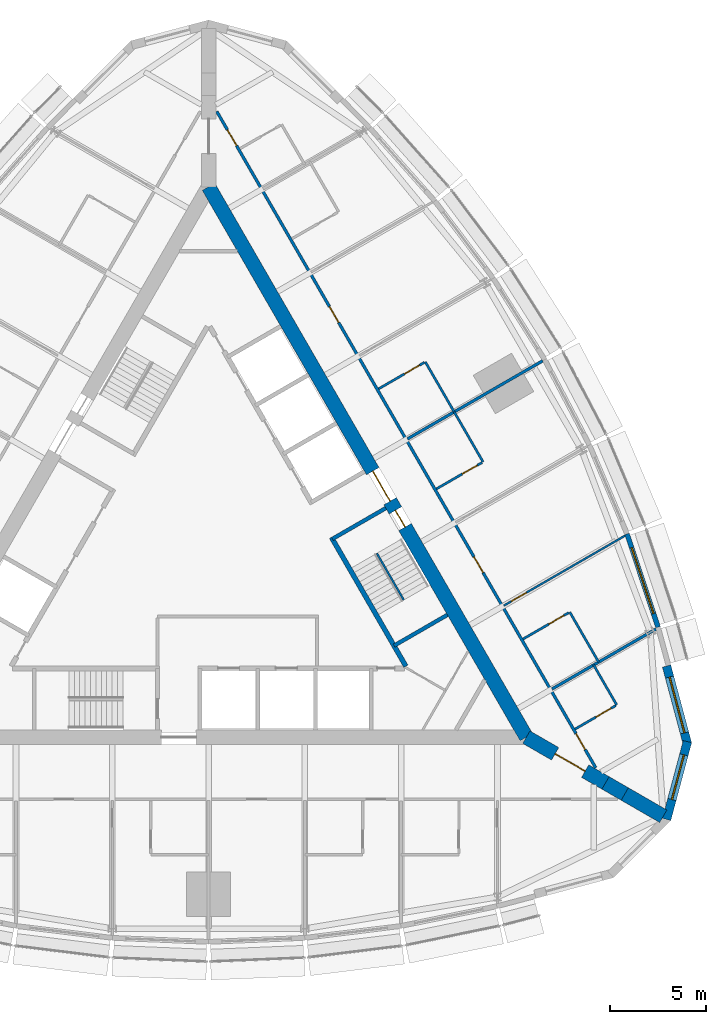
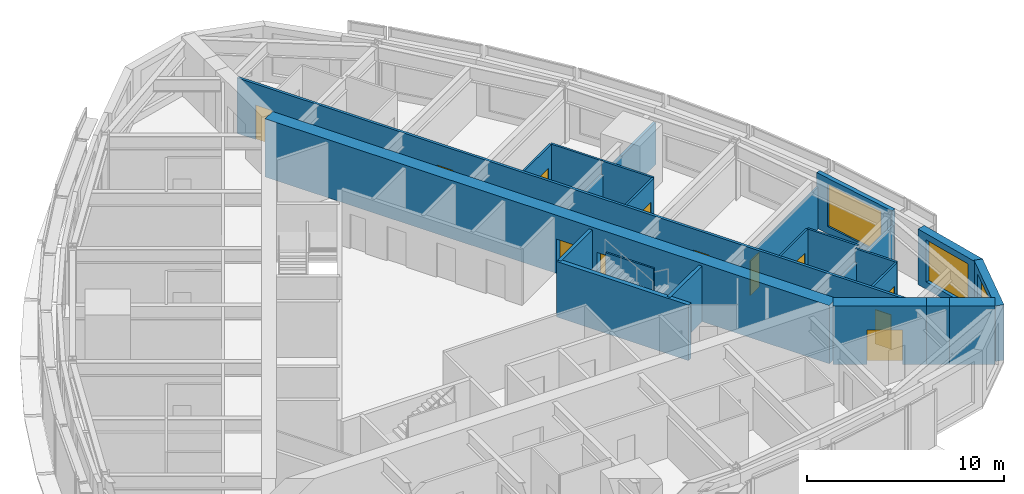
# One storey, part 12 of 15: 23 walls, 12 doors, 3 windows, 15 openings.
"""IFC4 building model written with IfcOpenShell, lengths in metres."""

from ifc_helpers import new_model, si_unit, direction, frame, frame_2d, origin, place, context, subcontext, project, spatial, polyline, rectangle, outline, extrude, material, layer, layer_set, type_object, element, fill, save


model = new_model("IFC4")

# Units and contexts
model_context = context("Model", 3, precision=1e-05, world=origin(), true_north=direction((0.0, 1.0)))
body_context = subcontext(model_context, "Body", "Model", "MODEL_VIEW")
ifc_project = project(units=[si_unit("LENGTHUNIT", "METRE"), si_unit("AREAUNIT", "SQUARE_METRE"), si_unit("VOLUMEUNIT", "CUBIC_METRE"), si_unit("PLANEANGLEUNIT", "RADIAN"), si_unit("MASSUNIT", "GRAM", prefix="KILO")], contexts=[model_context])

# Site, building, storey
site_placement = place(None, origin())
site = spatial("IfcSite", under=ifc_project, at=site_placement, CompositionType="ELEMENT")
building_placement = place(site_placement, origin())
building = spatial("IfcBuilding", under=site, at=building_placement, Name="Trikona Tower", CompositionType="ELEMENT")
storey_placement = place(building_placement, frame((0.0, 0.0, 226.10009765625)))
storey = spatial("IfcBuildingStorey", under=building, at=storey_placement, Name="L60", CompositionType="ELEMENT", Elevation=226.10009765625)

# Wall
ifc_material_1 = material(Name="Metal stud and cement board", Category="gypsum")
ifc_layer_1 = layer(ifc_material_1, 0.1201171875)
ifc_layer_set_1 = layer_set([ifc_layer_1], Name="Bathroom wall 120")
wall_type_1 = type_object("IfcWallType", Name="Bathroom wall 120", PredefinedType="PLUMBINGWALL", material=ifc_layer_set_1)
wall_1_placement = place(storey_placement, frame((21.193603515625, -7.855712890625, 0.0), z_axis=(0.0, 0.0, 1.0), x_axis=(-0.500033551112, 0.866006032174, 0.0)))
element("IfcWall", 1, at=wall_1_placement, inside=storey, type_object=wall_type_1, Name="Bathroom wall 6005", PredefinedType="PLUMBINGWALL", context=body_context, shape_type="SweptSolid", body=[
    extrude(rectangle(XDim=2.400146484375, YDim=0.1201171875, at=frame_2d((1.2001953125, 0.0))), origin(), (0.0, 0.0, 1.0), 3.434814453125),
])

# Wall, opening, door
wall_2_placement = place(storey_placement, frame((19.028564453125, -9.105712890625, 0.0), z_axis=(0.0, 0.0, 1.0), x_axis=(0.866023955769, 0.500002508028, 0.0)))
wall_2 = element("IfcWall", 2, at=wall_2_placement, inside=storey, type_object=wall_type_1, Name="Bathroom wall 6005", PredefinedType="PLUMBINGWALL", context=body_context, shape_type="SweptSolid", body=[
    extrude(rectangle(XDim=2.43994140625, YDim=0.1201171875, at=frame_2d((1.219970703125, 0.0))), origin(), (0.0, 0.0, 1.0), 3.434814453125),
])
opening_1_placement = place(wall_2_placement, frame((1.25, 0.0, 0.0)))
opening_1 = element("IfcOpeningElement", 3, at=opening_1_placement, cuts=wall_2, Name="Opening D2", PredefinedType="OPENING", context=body_context, shape_type="SweptSolid", body=[
    extrude(rectangle(XDim=0.89990234375, YDim=2.1298828125, at=frame_2d((0.449951171875, 1.06494140625))), frame((0.0, 0.070068359375, 0.0), z_axis=(0.0, -1.0, 0.0), x_axis=(1.0, 0.0, 0.0)), (0.0, 0.0, 1.0), 0.14013671875),
])
ifc_material_2 = material(Name="Steel door frame with solid-core timber leaf", Category="steel")
door_type_1 = type_object("IfcDoorType", Name="Bathroom door 900x2130", OperationType="SLIDING_TO_LEFT", PredefinedType="DOOR", material=ifc_material_2)
door_1_placement = place(opening_1_placement, origin())
door_1 = element("IfcDoor", 4, at=door_1_placement, inside=storey, type_object=door_type_1, Name="Bathroom door 6005", OperationType="SLIDING_TO_LEFT", OverallHeight=2.1298828125, OverallWidth=0.89990234375, PredefinedType="DOOR", context=body_context, shape_type="SweptSolid", body=[
    extrude(rectangle(XDim=0.89990234375, YDim=2.1298828125, at=frame_2d((0.449951171875, 1.06494140625))), frame((0.0, 0.02490234375, 0.0), z_axis=(0.0, -1.0, 0.0), x_axis=(1.0, 0.0, 0.0)), (0.0, 0.0, 1.0), 0.050048828125),
])
fill(opening_1, door_1)

# Wall
wall_3_placement = place(storey_placement, frame((20.25341796875, -5.627197265625, 0.0), z_axis=(0.0, 0.0, 1.0), x_axis=(-0.50002537861, 0.866010750942, 0.0)))
element("IfcWall", 5, at=wall_3_placement, inside=storey, type_object=wall_type_1, Name="Bathroom wall 6006.1", PredefinedType="PLUMBINGWALL", context=body_context, shape_type="SweptSolid", body=[
    extrude(rectangle(XDim=2.999755859375, YDim=0.1201171875, at=frame_2d((1.5, 0.0))), origin(), (0.0, 0.0, 1.0), 3.434814453125),
])

# Wall, opening, door
wall_4_placement = place(storey_placement, frame((16.32861328125, -4.42919921875, 0.0), z_axis=(0.0, 0.0, 1.0), x_axis=(0.865997131366, 0.500048966069, 0.0)))
wall_4 = element("IfcWall", 6, at=wall_4_placement, inside=storey, type_object=wall_type_1, Name="Bathroom wall 6006.1", PredefinedType="PLUMBINGWALL", context=body_context, shape_type="SweptSolid", body=[
    extrude(rectangle(XDim=2.739990234375, YDim=0.1201171875, at=frame_2d((1.3701171875, 0.0))), origin(), (0.0, 0.0, 1.0), 3.434814453125),
])
opening_2_placement = place(wall_4_placement, frame((1.550048828125, 0.0, 0.0)))
opening_2 = element("IfcOpeningElement", 7, at=opening_2_placement, cuts=wall_4, Name="Opening D2", PredefinedType="OPENING", context=body_context, shape_type="SweptSolid", body=[
    extrude(rectangle(XDim=0.89990234375, YDim=2.1298828125, at=frame_2d((0.449951171875, 1.06494140625))), frame((0.0, 0.070068359375, 0.0), z_axis=(0.0, -1.0, 0.0), x_axis=(1.0, 0.0, 0.0)), (0.0, 0.0, 1.0), 0.14013671875),
])
door_2_placement = place(opening_2_placement, origin())
door_2 = element("IfcDoor", 8, at=door_2_placement, inside=storey, type_object=door_type_1, Name="Bathroom door 6006.1", OperationType="SLIDING_TO_LEFT", OverallHeight=2.1298828125, OverallWidth=0.89990234375, PredefinedType="DOOR", context=body_context, shape_type="SweptSolid", body=[
    extrude(rectangle(XDim=0.89990234375, YDim=2.1298828125, at=frame_2d((0.449951171875, 1.06494140625))), frame((0.0, 0.02490234375, 0.0), z_axis=(0.0, -1.0, 0.0), x_axis=(1.0, 0.0, 0.0)), (0.0, 0.0, 1.0), 0.050048828125),
])
fill(opening_2, door_2)

# Wall
wall_5_placement = place(storey_placement, frame((14.25341796875, 4.76513671875, 0.0), z_axis=(0.0, 0.0, 1.0), x_axis=(-0.50002537861, 0.866010750942, 0.0)))
element("IfcWall", 9, at=wall_5_placement, inside=storey, type_object=wall_type_1, Name="Bathroom wall 6006.2", PredefinedType="PLUMBINGWALL", context=body_context, shape_type="SweptSolid", body=[
    extrude(rectangle(XDim=2.999755859375, YDim=0.1201171875, at=frame_2d((1.5, 0.0))), origin(), (0.0, 0.0, 1.0), 3.434814453125),
])

# Wall, opening, door
wall_6_placement = place(storey_placement, frame((11.82861328125, 3.364990234375, 0.0), z_axis=(0.0, 0.0, 1.0), x_axis=(0.865997131366, 0.500048966069, 0.0)))
wall_6 = element("IfcWall", 10, at=wall_6_placement, inside=storey, type_object=wall_type_1, Name="Bathroom wall 6006.2", PredefinedType="PLUMBINGWALL", context=body_context, shape_type="SweptSolid", body=[
    extrude(rectangle(XDim=2.739990234375, YDim=0.1201171875, at=frame_2d((1.3701171875, 0.0))), origin(), (0.0, 0.0, 1.0), 3.434814453125),
])
opening_3_placement = place(wall_6_placement, frame((1.550048828125, 0.0, 0.0)))
opening_3 = element("IfcOpeningElement", 11, at=opening_3_placement, cuts=wall_6, Name="Opening D2", PredefinedType="OPENING", context=body_context, shape_type="SweptSolid", body=[
    extrude(rectangle(XDim=0.89990234375, YDim=2.1298828125, at=frame_2d((0.449951171875, 1.06494140625))), frame((0.0, 0.070068359375, 0.0), z_axis=(0.0, -1.0, 0.0), x_axis=(1.0, 0.0, 0.0)), (0.0, 0.0, 1.0), 0.14013671875),
])
door_3_placement = place(opening_3_placement, origin())
door_3 = element("IfcDoor", 12, at=door_3_placement, inside=storey, type_object=door_type_1, Name="Bathroom door 6006.2", OperationType="SLIDING_TO_LEFT", OverallHeight=2.1298828125, OverallWidth=0.89990234375, PredefinedType="DOOR", context=body_context, shape_type="SweptSolid", body=[
    extrude(rectangle(XDim=0.89990234375, YDim=2.1298828125, at=frame_2d((0.449951171875, 1.06494140625))), frame((0.0, 0.02490234375, 0.0), z_axis=(0.0, -1.0, 0.0), x_axis=(1.0, 0.0, 0.0)), (0.0, 0.0, 1.0), 0.050048828125),
])
fill(opening_3, door_3)

# Wall
wall_7_placement = place(storey_placement, frame((12.75341796875, 7.363037109375, 0.0), z_axis=(0.0, 0.0, 1.0), x_axis=(-0.499990139034, 0.866031096941, 0.0)))
element("IfcWall", 13, at=wall_7_placement, inside=storey, type_object=wall_type_1, Name="Bathroom wall 6007.1", PredefinedType="PLUMBINGWALL", context=body_context, shape_type="SweptSolid", body=[
    extrude(rectangle(XDim=3.0, YDim=0.1201171875, at=frame_2d((1.5, 0.0))), origin(), (0.0, 0.0, 1.0), 3.434814453125),
])

# Wall, opening, door
wall_8_placement = place(storey_placement, frame((8.82861328125, 8.561279296875, 0.0), z_axis=(0.0, 0.0, 1.0), x_axis=(0.866035715982, 0.499982138324, 0.0)))
wall_8 = element("IfcWall", 14, at=wall_8_placement, inside=storey, type_object=wall_type_1, Name="Bathroom wall 6007.1", PredefinedType="PLUMBINGWALL", context=body_context, shape_type="SweptSolid", body=[
    extrude(rectangle(XDim=2.73974609375, YDim=0.1201171875, at=frame_2d((1.369873046875, 0.0))), origin(), (0.0, 0.0, 1.0), 3.434814453125),
])
opening_4_placement = place(wall_8_placement, frame((1.550048828125, 0.0, 0.0)))
opening_4 = element("IfcOpeningElement", 15, at=opening_4_placement, cuts=wall_8, Name="Opening D2", PredefinedType="OPENING", context=body_context, shape_type="SweptSolid", body=[
    extrude(rectangle(XDim=0.89990234375, YDim=2.1298828125, at=frame_2d((0.449951171875, 1.06494140625))), frame((0.0, 0.070068359375, 0.0), z_axis=(0.0, -1.0, 0.0), x_axis=(1.0, 0.0, 0.0)), (0.0, 0.0, 1.0), 0.14013671875),
])
door_4_placement = place(opening_4_placement, origin())
door_4 = element("IfcDoor", 16, at=door_4_placement, inside=storey, type_object=door_type_1, Name="Bathroom door 6007.1", OperationType="SLIDING_TO_LEFT", OverallHeight=2.1298828125, OverallWidth=0.89990234375, PredefinedType="DOOR", context=body_context, shape_type="SweptSolid", body=[
    extrude(rectangle(XDim=0.89990234375, YDim=2.1298828125, at=frame_2d((0.449951171875, 1.06494140625))), frame((0.0, 0.02490234375, 0.0), z_axis=(0.0, -1.0, 0.0), x_axis=(1.0, 0.0, 0.0)), (0.0, 0.0, 1.0), 0.050048828125),
])
fill(opening_4, door_4)

# Wall, opening, window
ifc_material_3 = material(Name="Brick-faced precast concrete", Category="masonry")
ifc_layer_2 = layer(ifc_material_3, 0.449951171875)
ifc_layer_set_2 = layer_set([ifc_layer_2], Name="Brick-faced corner wall 450")
wall_type_2 = type_object("IfcWallType", Name="Brick-faced corner wall 450", PredefinedType="SOLIDWALL", material=ifc_layer_set_2)
wall_9_placement = place(storey_placement, frame((23.78271484375, -13.798095703125, 0.0), z_axis=(0.0, 0.0, 1.0), x_axis=(0.258799282522, 0.96593112144, 0.0)))
wall_9 = element("IfcWall", 17, at=wall_9_placement, inside=storey, type_object=wall_type_2, Name="External wall L60-10", PredefinedType="SOLIDWALL", context=body_context, shape_type="SweptSolid", body=[
    extrude(outline(polyline([(4.183837890625, 0.22509765625), (0.5087890625, 0.22509765625), (0.478759765625, 0.112548828125), (0.059326171875, 0.22509765625), (0.0, 0.22509765625), (0.0, -0.22509765625), (4.183837890625, -0.22509765625), (4.183837890625, 0.22509765625)])), origin(), (0.0, 0.0, 1.0), 3.434814453125),
])
opening_5_placement = place(wall_9_placement, frame((1.0712890625, 0.0, 0.449951171875)))
opening_5 = element("IfcOpeningElement", 18, at=opening_5_placement, cuts=wall_9, Name="Opening W2426", PredefinedType="OPENING", context=body_context, shape_type="SweptSolid", body=[
    extrude(rectangle(XDim=2.39990234375, YDim=2.60009765625, at=frame_2d((1.199951171875, 1.300048828125))), frame((0.0, 0.23486328125, 0.0), z_axis=(0.0, -1.0, 0.0), x_axis=(1.0, 0.0, 0.0)), (0.0, 0.0, 1.0), 0.469970703125),
])
ifc_material_4 = material(Name="Aluminium-framed double glazing", Category="aluminium")
window_type_1 = type_object("IfcWindowType", Name="Window 2400x2600", PartitioningType="SINGLE_PANEL", PredefinedType="WINDOW", material=ifc_material_4)
window_1_placement = place(opening_5_placement, origin())
window_1 = element("IfcWindow", 19, at=window_1_placement, inside=storey, type_object=window_type_1, Name="Window 6005", OverallHeight=2.60009765625, OverallWidth=2.39990234375, PartitioningType="SINGLE_PANEL", PredefinedType="WINDOW", context=body_context, shape_type="SweptSolid", body=[
    extrude(rectangle(XDim=2.39990234375, YDim=2.60009765625, at=frame_2d((1.199951171875, 1.300048828125))), frame((0.0, 0.030029296875, 0.0), z_axis=(0.0, -1.0, 0.0), x_axis=(1.0, 0.0, 0.0)), (0.0, 0.0, 1.0), 0.06005859375),
])
fill(opening_5, window_1)

wall_10_placement = place(storey_placement, frame((24.865478515625, -9.873291015625, 0.0), z_axis=(0.0, 0.0, 1.0), x_axis=(-0.258784695888, 0.965935029479, 0.0)))
wall_10 = element("IfcWall", 20, at=wall_10_placement, inside=storey, type_object=wall_type_2, Name="External wall L60-11", PredefinedType="SOLIDWALL", context=body_context, shape_type="SweptSolid", body=[
    extrude(rectangle(XDim=4.18408203125, YDim=0.449951171875, at=frame_2d((2.092041015625, 0.0))), origin(), (0.0, 0.0, 1.0), 3.434814453125),
])
opening_6_placement = place(wall_10_placement, frame((0.592041015625, 0.0, 0.449951171875)))
opening_6 = element("IfcOpeningElement", 21, at=opening_6_placement, cuts=wall_10, Name="Opening W3026", PredefinedType="OPENING", context=body_context, shape_type="SweptSolid", body=[
    extrude(rectangle(XDim=3.0, YDim=2.60009765625, at=frame_2d((1.5, 1.300048828125))), frame((0.0, 0.23486328125, 0.0), z_axis=(0.0, -1.0, 0.0), x_axis=(1.0, 0.0, 0.0)), (0.0, 0.0, 1.0), 0.469970703125),
])
ifc_material_5 = material(Name="Aluminium-framed double glazing", Category="aluminium")
window_type_2 = type_object("IfcWindowType", Name="Window 3000x2600", PartitioningType="SINGLE_PANEL", PredefinedType="WINDOW", material=ifc_material_5)
window_2_placement = place(opening_6_placement, origin())
window_2 = element("IfcWindow", 22, at=window_2_placement, inside=storey, type_object=window_type_2, Name="Window 6005", OverallHeight=2.60009765625, OverallWidth=3.0, PartitioningType="SINGLE_PANEL", PredefinedType="WINDOW", context=body_context, shape_type="SweptSolid", body=[
    extrude(rectangle(XDim=3.0, YDim=2.60009765625, at=frame_2d((1.5, 1.300048828125))), frame((0.0, 0.030029296875, 0.0), z_axis=(0.0, -1.0, 0.0), x_axis=(1.0, 0.0, 0.0)), (0.0, 0.0, 1.0), 0.06005859375),
])
fill(opening_6, window_2)

# Wall, opening, door
ifc_material_6 = material(Name="Concrete f'c 10000 psi", Category="concrete")
ifc_layer_3 = layer(ifc_material_6, 0.75)
ifc_layer_set_3 = layer_set([ifc_layer_3], Name="Buttress wall 750")
wall_type_3 = type_object("IfcWallType", Name="Buttress wall 750", PredefinedType="SHEAR", material=ifc_layer_set_3)
wall_11_placement = place(storey_placement, frame((16.5, -9.5263671875, 0.0), z_axis=(0.0, 0.0, 1.0), x_axis=(0.866031398331, -0.499989616998, 0.0)))
wall_11 = element("IfcWall", 23, at=wall_11_placement, inside=storey, type_object=wall_type_3, Name="Buttress wall 1", PredefinedType="SHEAR", context=body_context, shape_type="SweptSolid", body=[
    extrude(rectangle(XDim=4.74609375, YDim=0.75, at=frame_2d((2.373046875, 0.0))), origin(), (0.0, 0.0, 1.0), 3.599853515625),
])
opening_7_placement = place(wall_11_placement, frame((1.72509765625, 0.0, 0.0)))
opening_7 = element("IfcOpeningElement", 24, at=opening_7_placement, cuts=wall_11, Name="Opening D10", PredefinedType="OPENING", context=body_context, shape_type="SweptSolid", body=[
    extrude(rectangle(XDim=1.800048828125, YDim=2.1298828125, at=frame_2d((0.89990234375, 1.06494140625))), frame((0.0, 0.385009765625, 0.0), z_axis=(0.0, -1.0, 0.0), x_axis=(1.0, 0.0, 0.0)), (0.0, 0.0, 1.0), 0.77001953125),
])
ifc_material_7 = material(Name="Hollow metal door and frame", Category="steel")
door_type_2 = type_object("IfcDoorType", Name="Cross-corridor door pair 1800x2130", OperationType="DOUBLE_DOOR_DOUBLE_SWING", PredefinedType="DOOR", material=ifc_material_7)
door_5_placement = place(opening_7_placement, origin())
door_5 = element("IfcDoor", 25, at=door_5_placement, inside=storey, type_object=door_type_2, Name="Cross-corridor door 1", OperationType="DOUBLE_DOOR_DOUBLE_SWING", OverallHeight=2.1298828125, OverallWidth=1.800048828125, PredefinedType="DOOR", context=body_context, shape_type="SweptSolid", body=[
    extrude(rectangle(XDim=1.800048828125, YDim=2.1298828125, at=frame_2d((0.89990234375, 1.06494140625))), frame((0.0, 0.02490234375, 0.0), z_axis=(0.0, -1.0, 0.0), x_axis=(1.0, 0.0, 0.0)), (0.0, 0.0, 1.0), 0.050048828125),
])
fill(opening_7, door_5)

# Walls
wall_12_placement = place(storey_placement, frame((20.6103515625, -11.8994140625, 0.0), z_axis=(0.0, 0.0, 1.0), x_axis=(0.866009537788, -0.500027479704, 0.0)))
element("IfcWall", 26, at=wall_12_placement, inside=storey, type_object=wall_type_3, Name="Buttress wall 1 part 2", PredefinedType="SHEAR", context=body_context, shape_type="SweptSolid", body=[
    extrude(rectangle(XDim=1.15478515625, YDim=0.75, at=frame_2d((0.577392578125, 0.0))), origin(), (0.0, 0.0, 1.0), 3.599853515625),
])
wall_13_placement = place(storey_placement, frame((21.6103515625, -12.476806640625, 0.0), z_axis=(0.0, 0.0, 1.0), x_axis=(0.866055313784, -0.499948190782, 0.0)))
element("IfcWall", 27, at=wall_13_placement, inside=storey, type_object=wall_type_3, Name="Buttress wall 1 part 3", PredefinedType="SHEAR", context=body_context, shape_type="SweptSolid", body=[
    extrude(rectangle(XDim=2.309326171875, YDim=0.75, at=frame_2d((1.15478515625, 0.0))), origin(), (0.0, 0.0, 1.0), 3.599853515625),
])

# Wall, openings, doors
ifc_material_8 = material(Name="Concrete f'c 10000 psi", Category="concrete")
ifc_layer_4 = layer(ifc_material_8, 0.75)
ifc_layer_set_4 = layer_set([ifc_layer_4], Name="Core wall 750")
wall_type_4 = type_object("IfcWallType", Name="Core wall 750", PredefinedType="SHEAR", material=ifc_layer_set_4)
wall_14_placement = place(storey_placement, frame((16.5, -9.5263671875, 0.0), z_axis=(0.0, 0.0, 1.0), x_axis=(-0.499999749417, 0.866025548458, 0.0)))
wall_14 = element("IfcWall", 28, at=wall_14_placement, inside=storey, type_object=wall_type_4, Name="Core wall B", PredefinedType="SHEAR", context=body_context, shape_type="SweptSolid", body=[
    extrude(rectangle(XDim=33.0, YDim=0.75, at=frame_2d((16.5, 0.0))), origin(), (0.0, 0.0, 1.0), 3.599853515625),
])
opening_8_placement = place(wall_14_placement, frame((14.14990234375, 0.0, 0.0)))
opening_8 = element("IfcOpeningElement", 29, at=opening_8_placement, cuts=wall_14, Name="Opening D6", PredefinedType="OPENING", context=body_context, shape_type="SweptSolid", body=[
    extrude(rectangle(XDim=1.800048828125, YDim=2.1298828125, at=frame_2d((0.89990234375, 1.06494140625))), frame((0.0, 0.385009765625, 0.0), z_axis=(0.0, -1.0, 0.0), x_axis=(1.0, 0.0, 0.0)), (0.0, 0.0, 1.0), 0.77001953125),
])
opening_9_placement = place(wall_14_placement, frame((12.60009765625, 0.0, 0.0)))
opening_9 = element("IfcOpeningElement", 30, at=opening_9_placement, cuts=wall_14, Name="Opening D5", PredefinedType="OPENING", context=body_context, shape_type="SweptSolid", body=[
    extrude(rectangle(XDim=1.0, YDim=2.1298828125, at=frame_2d((0.5, 1.06494140625))), frame((0.0, 0.385009765625, 0.0), z_axis=(0.0, -1.0, 0.0), x_axis=(1.0, 0.0, 0.0)), (0.0, 0.0, 1.0), 0.77001953125),
])
ifc_material_9 = material(Name="Hollow metal door and frame", Category="steel")
door_type_3 = type_object("IfcDoorType", Name="Lobby door pair 1800x2130", OperationType="DOUBLE_DOOR_SINGLE_SWING", PredefinedType="DOOR", material=ifc_material_9)
door_6_placement = place(opening_8_placement, origin())
door_6 = element("IfcDoor", 31, at=door_6_placement, inside=storey, type_object=door_type_3, Name="Lift lobby door B", OperationType="DOUBLE_DOOR_SINGLE_SWING", OverallHeight=2.1298828125, OverallWidth=1.800048828125, PredefinedType="DOOR", context=body_context, shape_type="SweptSolid", body=[
    extrude(rectangle(XDim=1.800048828125, YDim=2.1298828125, at=frame_2d((0.89990234375, 1.06494140625))), frame((0.0, 0.02490234375, 0.0), z_axis=(0.0, -1.0, 0.0), x_axis=(1.0, 0.0, 0.0)), (0.0, 0.0, 1.0), 0.050048828125),
])
fill(opening_8, door_6)
ifc_material_10 = material(Name="Hollow metal door and frame", Category="steel")
door_type_4 = type_object("IfcDoorType", Name="Stair door 1000x2130", OperationType="SINGLE_SWING_LEFT", PredefinedType="DOOR", material=ifc_material_10)
door_7_placement = place(opening_9_placement, origin())
door_7 = element("IfcDoor", 32, at=door_7_placement, inside=storey, type_object=door_type_4, Name="Stair B door", OperationType="SINGLE_SWING_RIGHT", OverallHeight=2.1298828125, OverallWidth=1.0, PredefinedType="DOOR", context=body_context, shape_type="SweptSolid", body=[
    extrude(rectangle(XDim=1.0, YDim=2.1298828125, at=frame_2d((0.5, 1.06494140625))), frame((0.0, 0.02490234375, 0.0), z_axis=(0.0, -1.0, 0.0), x_axis=(1.0, 0.0, 0.0)), (0.0, 0.0, 1.0), 0.050048828125),
])
fill(opening_9, door_7)

ifc_material_11 = material(Name="Metal stud and gypsum board, 1-hour", Category="gypsum")
ifc_layer_5 = layer(ifc_material_11, 0.14990234375)
ifc_layer_set_5 = layer_set([ifc_layer_5], Name="Corridor wall 150")
wall_type_5 = type_object("IfcWallType", Name="Corridor wall 150", PredefinedType="PARTITIONING", material=ifc_layer_set_5)
wall_15_placement = place(storey_placement, frame((20.10205078125, -11.115234375, 0.0), z_axis=(0.0, 0.0, 1.0), x_axis=(-0.500000265775, 0.866025250339, 0.0)))
wall_15 = element("IfcWall", 33, at=wall_15_placement, inside=storey, type_object=wall_type_5, Name="Corridor wall L60-2", PredefinedType="PARTITIONING", context=body_context, shape_type="SweptSolid", body=[
    extrude(rectangle(XDim=39.35400390625, YDim=0.14990234375, at=frame_2d((19.677001953125, 0.0))), origin(), (0.0, 0.0, 1.0), 3.434814453125),
])
opening_10_placement = place(wall_15_placement, frame((1.10205078125, 0.0, 0.0)))
opening_10 = element("IfcOpeningElement", 34, at=opening_10_placement, cuts=wall_15, Name="Opening D1", PredefinedType="OPENING", context=body_context, shape_type="SweptSolid", body=[
    extrude(rectangle(XDim=0.949951171875, YDim=2.1298828125, at=frame_2d((0.47509765625, 1.06494140625))), frame((0.0, 0.0849609375, 0.0), z_axis=(0.0, -1.0, 0.0), x_axis=(1.0, 0.0, 0.0)), (0.0, 0.0, 1.0), 0.169921875),
])
opening_11_placement = place(wall_15_placement, frame((11.701904296875, 0.0, 0.0)))
opening_11 = element("IfcOpeningElement", 35, at=opening_11_placement, cuts=wall_15, Name="Opening D1", PredefinedType="OPENING", context=body_context, shape_type="SweptSolid", body=[
    extrude(rectangle(XDim=0.949951171875, YDim=2.1298828125, at=frame_2d((0.47509765625, 1.06494140625))), frame((0.0, 0.0849609375, 0.0), z_axis=(0.0, -1.0, 0.0), x_axis=(1.0, 0.0, 0.0)), (0.0, 0.0, 1.0), 0.169921875),
])
opening_12_placement = place(wall_15_placement, frame((26.701904296875, 0.0, 0.0)))
opening_12 = element("IfcOpeningElement", 36, at=opening_12_placement, cuts=wall_15, Name="Opening D1", PredefinedType="OPENING", context=body_context, shape_type="SweptSolid", body=[
    extrude(rectangle(XDim=0.949951171875, YDim=2.1298828125, at=frame_2d((0.47509765625, 1.06494140625))), frame((0.0, 0.0849609375, 0.0), z_axis=(0.0, -1.0, 0.0), x_axis=(1.0, 0.0, 0.0)), (0.0, 0.0, 1.0), 0.169921875),
])
opening_13_placement = place(wall_15_placement, frame((37.302001953125, 0.0, 0.0)))
opening_13 = element("IfcOpeningElement", 37, at=opening_13_placement, cuts=wall_15, Name="Opening D1", PredefinedType="OPENING", context=body_context, shape_type="SweptSolid", body=[
    extrude(rectangle(XDim=0.949951171875, YDim=2.1298828125, at=frame_2d((0.47509765625, 1.06494140625))), frame((0.0, 0.0849609375, 0.0), z_axis=(0.0, -1.0, 0.0), x_axis=(1.0, 0.0, 0.0)), (0.0, 0.0, 1.0), 0.169921875),
])
ifc_material_12 = material(Name="Steel door frame with solid-core timber leaf", Category="steel")
door_type_5 = type_object("IfcDoorType", Name="Guest room door 950x2130", OperationType="SINGLE_SWING_LEFT", PredefinedType="DOOR", material=ifc_material_12)
door_8_placement = place(opening_10_placement, origin())
door_8 = element("IfcDoor", 38, at=door_8_placement, inside=storey, type_object=door_type_5, Name="Room door 6005", OperationType="SINGLE_SWING_LEFT", OverallHeight=2.1298828125, OverallWidth=0.949951171875, PredefinedType="DOOR", context=body_context, shape_type="SweptSolid", body=[
    extrude(rectangle(XDim=0.949951171875, YDim=2.1298828125, at=frame_2d((0.47509765625, 1.06494140625))), frame((0.0, 0.02490234375, 0.0), z_axis=(0.0, -1.0, 0.0), x_axis=(1.0, 0.0, 0.0)), (0.0, 0.0, 1.0), 0.050048828125),
])
fill(opening_10, door_8)
door_9_placement = place(opening_11_placement, origin())
door_9 = element("IfcDoor", 39, at=door_9_placement, inside=storey, type_object=door_type_5, Name="Room door 6006", OperationType="SINGLE_SWING_RIGHT", OverallHeight=2.1298828125, OverallWidth=0.949951171875, PredefinedType="DOOR", context=body_context, shape_type="SweptSolid", body=[
    extrude(rectangle(XDim=0.949951171875, YDim=2.1298828125, at=frame_2d((0.47509765625, 1.06494140625))), frame((0.0, 0.02490234375, 0.0), z_axis=(0.0, -1.0, 0.0), x_axis=(1.0, 0.0, 0.0)), (0.0, 0.0, 1.0), 0.050048828125),
])
fill(opening_11, door_9)
door_10_placement = place(opening_12_placement, origin())
door_10 = element("IfcDoor", 40, at=door_10_placement, inside=storey, type_object=door_type_5, Name="Room door 6007", OperationType="SINGLE_SWING_LEFT", OverallHeight=2.1298828125, OverallWidth=0.949951171875, PredefinedType="DOOR", context=body_context, shape_type="SweptSolid", body=[
    extrude(rectangle(XDim=0.949951171875, YDim=2.1298828125, at=frame_2d((0.47509765625, 1.06494140625))), frame((0.0, 0.02490234375, 0.0), z_axis=(0.0, -1.0, 0.0), x_axis=(1.0, 0.0, 0.0)), (0.0, 0.0, 1.0), 0.050048828125),
])
fill(opening_12, door_10)
door_11_placement = place(opening_13_placement, origin())
door_11 = element("IfcDoor", 41, at=door_11_placement, inside=storey, type_object=door_type_5, Name="Room door 6008", OperationType="SINGLE_SWING_RIGHT", OverallHeight=2.1298828125, OverallWidth=0.949951171875, PredefinedType="DOOR", context=body_context, shape_type="SweptSolid", body=[
    extrude(rectangle(XDim=0.949951171875, YDim=2.1298828125, at=frame_2d((0.47509765625, 1.06494140625))), frame((0.0, 0.02490234375, 0.0), z_axis=(0.0, -1.0, 0.0), x_axis=(1.0, 0.0, 0.0)), (0.0, 0.0, 1.0), 0.050048828125),
])
fill(opening_13, door_11)

# Wall
ifc_material_13 = material(Name="Concrete f'c 8000 psi", Category="concrete")
ifc_layer_6 = layer(ifc_material_13, 0.25)
ifc_layer_set_6 = layer_set([ifc_layer_6], Name="Hub wall 250")
wall_type_6 = type_object("IfcWallType", Name="Hub wall 250", PredefinedType="SOLIDWALL", material=ifc_layer_set_6)
wall_16_placement = place(storey_placement, frame((10.245361328125, -5.843017578125, 0.0), z_axis=(0.0, 0.0, 1.0), x_axis=(-0.499993009313, 0.866029439822, 0.0)))
element("IfcWall", 42, at=wall_16_placement, inside=storey, type_object=wall_type_6, Name="Lift lobby wall B1", PredefinedType="SOLIDWALL", context=body_context, shape_type="SweptSolid", body=[
    extrude(rectangle(XDim=7.73291015625, YDim=0.25, at=frame_2d((3.866455078125, 0.0))), origin(), (0.0, 0.0, 1.0), 3.434814453125),
])

# Wall, opening, window
ifc_material_14 = material(Name="Insulated precast concrete spandrel panel", Category="concrete")
ifc_layer_7 = layer(ifc_material_14, 0.25)
ifc_layer_set_7 = layer_set([ifc_layer_7], Name="Inner skin wall 250")
wall_type_7 = type_object("IfcWallType", Name="Inner skin wall 250", PredefinedType="STANDARD", material=ifc_layer_set_7)
wall_17_placement = place(storey_placement, frame((23.337890625, -3.8173828125, 0.0), z_axis=(0.0, 0.0, 1.0), x_axis=(-0.315108478109, 0.949055660656, 0.0)))
wall_17 = element("IfcWall", 43, at=wall_17_placement, inside=storey, type_object=wall_type_7, Name="External wall L60-13", PredefinedType="STANDARD", context=body_context, shape_type="SweptSolid", body=[
    extrude(rectangle(XDim=5.10498046875, YDim=0.25, at=frame_2d((2.552490234375, 0.0))), origin(), (0.0, 0.0, 1.0), 3.434814453125),
])
opening_14_placement = place(wall_17_placement, frame((0.75244140625, 0.0, 0.449951171875)))
opening_14 = element("IfcOpeningElement", 44, at=opening_14_placement, cuts=wall_17, Name="Opening W3626", PredefinedType="OPENING", context=body_context, shape_type="SweptSolid", body=[
    extrude(rectangle(XDim=3.60009765625, YDim=2.60009765625, at=frame_2d((1.800048828125, 1.300048828125))), frame((0.0, 0.135009765625, 0.0), z_axis=(0.0, -1.0, 0.0), x_axis=(1.0, 0.0, 0.0)), (0.0, 0.0, 1.0), 0.27001953125),
])
ifc_material_15 = material(Name="Aluminium-framed double glazing", Category="aluminium")
window_type_3 = type_object("IfcWindowType", Name="Window 3600x2600", PartitioningType="SINGLE_PANEL", PredefinedType="WINDOW", material=ifc_material_15)
window_3_placement = place(opening_14_placement, origin())
window_3 = element("IfcWindow", 45, at=window_3_placement, inside=storey, type_object=window_type_3, Name="Window 6006.1", OverallHeight=2.60009765625, OverallWidth=3.60009765625, PartitioningType="SINGLE_PANEL", PredefinedType="WINDOW", context=body_context, shape_type="SweptSolid", body=[
    extrude(rectangle(XDim=3.60009765625, YDim=2.60009765625, at=frame_2d((1.800048828125, 1.300048828125))), frame((0.0, 0.030029296875, 0.0), z_axis=(0.0, -1.0, 0.0), x_axis=(1.0, 0.0, 0.0)), (0.0, 0.0, 1.0), 0.06005859375),
])
fill(opening_14, window_3)

# Walls
ifc_material_16 = material(Name="Metal stud and gypsum board, 1-hour acoustic", Category="gypsum")
ifc_layer_8 = layer(ifc_material_16, 0.14990234375)
ifc_layer_set_8 = layer_set([ifc_layer_8], Name="Party wall 150")
wall_type_8 = type_object("IfcWallType", Name="Party wall 150", PredefinedType="PARTITIONING", material=ifc_layer_set_8)
wall_18_placement = place(storey_placement, frame((17.82861328125, -7.027099609375, 0.0), z_axis=(0.0, 0.0, 1.0), x_axis=(0.866026604282, 0.499997920671, 0.0)))
element("IfcWall", 46, at=wall_18_placement, inside=storey, type_object=wall_type_8, Name="Partition L60 F2 u-15", PredefinedType="PARTITIONING", context=body_context, shape_type="SweptSolid", body=[
    extrude(rectangle(XDim=6.23974609375, YDim=0.14990234375, at=frame_2d((3.119873046875, 0.0))), origin(), (0.0, 0.0, 1.0), 2.589111328125),
])
wall_19_placement = place(storey_placement, frame((10.32861328125, 5.963134765625, 0.0), z_axis=(0.0, 0.0, 1.0), x_axis=(0.866016460812, 0.500015489362, 0.0)))
element("IfcWall", 47, at=wall_19_placement, inside=storey, type_object=wall_type_8, Name="Partition L60 F2 u-2.10942e-15", PredefinedType="PARTITIONING", context=body_context, shape_type="SweptSolid", body=[
    extrude(rectangle(XDim=8.101318359375, YDim=0.14990234375, at=frame_2d((4.05078125, 0.0))), origin(), (0.0, 0.0, 1.0), 2.589111328125),
])
ifc_material_17 = material(Name="Concrete f'c 8000 psi", Category="concrete")
ifc_layer_9 = layer(ifc_material_17, 0.199951171875)
ifc_layer_set_9 = layer_set([ifc_layer_9], Name="Shaft wall 200 load-bearing")
wall_type_9 = type_object("IfcWallType", Name="Shaft wall 200 load-bearing", PredefinedType="SOLIDWALL", material=ifc_layer_set_9)
for number, where, z_axis, x_axis, name in (
    (48, (9.62890625, -4.775390625, 0.0), (0.0, 0.0, 1.0), (0.866008981251, 0.500028443584, 0.0), "Shaft wall B1"),
    (49, (6.428955078125, 0.767333984375, 0.0), (0.0, 0.0, 1.0), (0.866042017984, 0.499971222258, 0.0), "Shaft wall B2"),
):
    element("IfcWall", number, at=place(storey_placement, frame(where, z_axis=z_axis, x_axis=x_axis)), inside=storey, type_object=wall_type_9, Name=name, PredefinedType="SOLIDWALL", context=body_context, shape_type="SweptSolid", body=[
        extrude(rectangle(XDim=3.199951171875, YDim=0.199951171875, at=frame_2d((1.60009765625, 0.0))), origin(), (0.0, 0.0, 1.0), 3.434814453125),
    ])
ifc_material_18 = material(Name="Concrete f'c 5000 psi", Category="concrete")
ifc_layer_10 = layer(ifc_material_18, 0.10009765625)
ifc_layer_set_10 = layer_set([ifc_layer_10], Name="Stair spine wall 100")
wall_type_10 = type_object("IfcWallType", Name="Stair spine wall 100", PredefinedType="SOLIDWALL", material=ifc_layer_set_10)
wall_20_placement = place(storey_placement, frame((10.134765625, -2.4013671875, 0.0), z_axis=(0.0, 0.0, 1.0), x_axis=(-0.499992232847, 0.866029888106, 0.0)))
element("IfcWall", 50, at=wall_20_placement, inside=storey, type_object=wall_type_10, Name="Stair B spine wall L60", PredefinedType="SOLIDWALL", context=body_context, shape_type="SweptSolid", body=[
    extrude(rectangle(XDim=2.7939453125, YDim=0.10009765625, at=frame_2d((1.39697265625, 0.0))), origin(), (0.0, 0.0, 1.0), 3.599853515625),
])

# Wall, opening, door
ifc_material_19 = material(Name="Metal stud and gypsum board, acoustic", Category="gypsum")
ifc_layer_11 = layer(ifc_material_19, 0.10009765625)
ifc_layer_set_11 = layer_set([ifc_layer_11], Name="Suite partition 100")
wall_type_11 = type_object("IfcWallType", Name="Suite partition 100", PredefinedType="PARTITIONING", material=ifc_layer_set_11)
wall_21_placement = place(storey_placement, frame((15.32861328125, -2.697021484375, 0.0), z_axis=(0.0, 0.0, 1.0), x_axis=(0.866032413668, 0.499987858329, 0.0)))
wall_21 = element("IfcWall", 51, at=wall_21_placement, inside=storey, type_object=wall_type_11, Name="Suite partition L60 F2 u-10", PredefinedType="PARTITIONING", context=body_context, shape_type="SweptSolid", body=[
    extrude(rectangle(XDim=7.272705078125, YDim=0.10009765625, at=frame_2d((3.63623046875, 0.0))), origin(), (0.0, 0.0, 1.0), 2.589111328125),
])
opening_15_placement = place(wall_21_placement, frame((0.449951171875, 0.0, 0.0)))
opening_15 = element("IfcOpeningElement", 52, at=opening_15_placement, cuts=wall_21, Name="Opening D13", PredefinedType="OPENING", context=body_context, shape_type="SweptSolid", body=[
    extrude(rectangle(XDim=0.89990234375, YDim=2.1298828125, at=frame_2d((0.449951171875, 1.06494140625))), frame((0.0, 0.06005859375, 0.0), z_axis=(0.0, -1.0, 0.0), x_axis=(1.0, 0.0, 0.0)), (0.0, 0.0, 1.0), 0.1201171875),
])
ifc_material_20 = material(Name="Steel door frame with solid-core timber leaf", Category="steel")
door_type_6 = type_object("IfcDoorType", Name="Suite door 900x2130", OperationType="SINGLE_SWING_LEFT", PredefinedType="DOOR", material=ifc_material_20)
door_12_placement = place(opening_15_placement, origin())
door_12 = element("IfcDoor", 53, at=door_12_placement, inside=storey, type_object=door_type_6, Name="Suite door 6006", OperationType="SINGLE_SWING_LEFT", OverallHeight=2.1298828125, OverallWidth=0.89990234375, PredefinedType="DOOR", context=body_context, shape_type="SweptSolid", body=[
    extrude(rectangle(XDim=0.89990234375, YDim=2.1298828125, at=frame_2d((0.449951171875, 1.06494140625))), frame((0.0, 0.02490234375, 0.0), z_axis=(0.0, -1.0, 0.0), x_axis=(1.0, 0.0, 0.0)), (0.0, 0.0, 1.0), 0.050048828125),
])
fill(opening_15, door_12)

save(model, "model.ifc")
